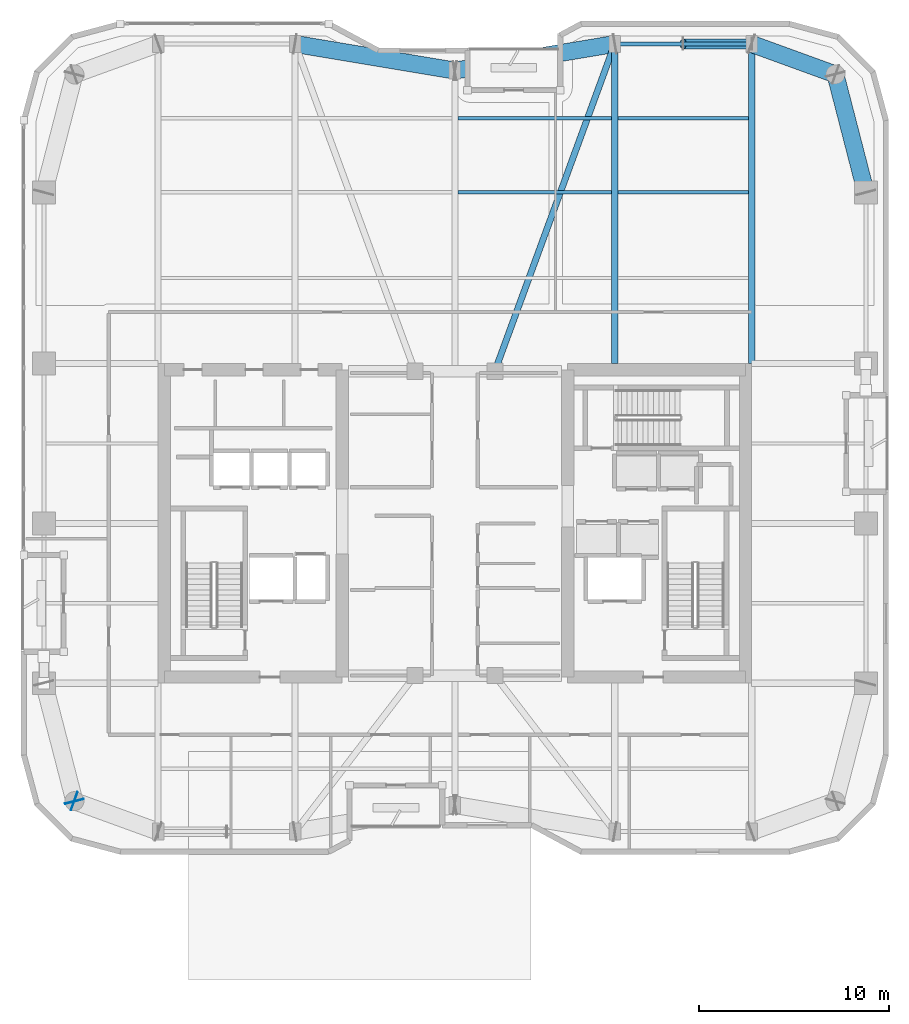
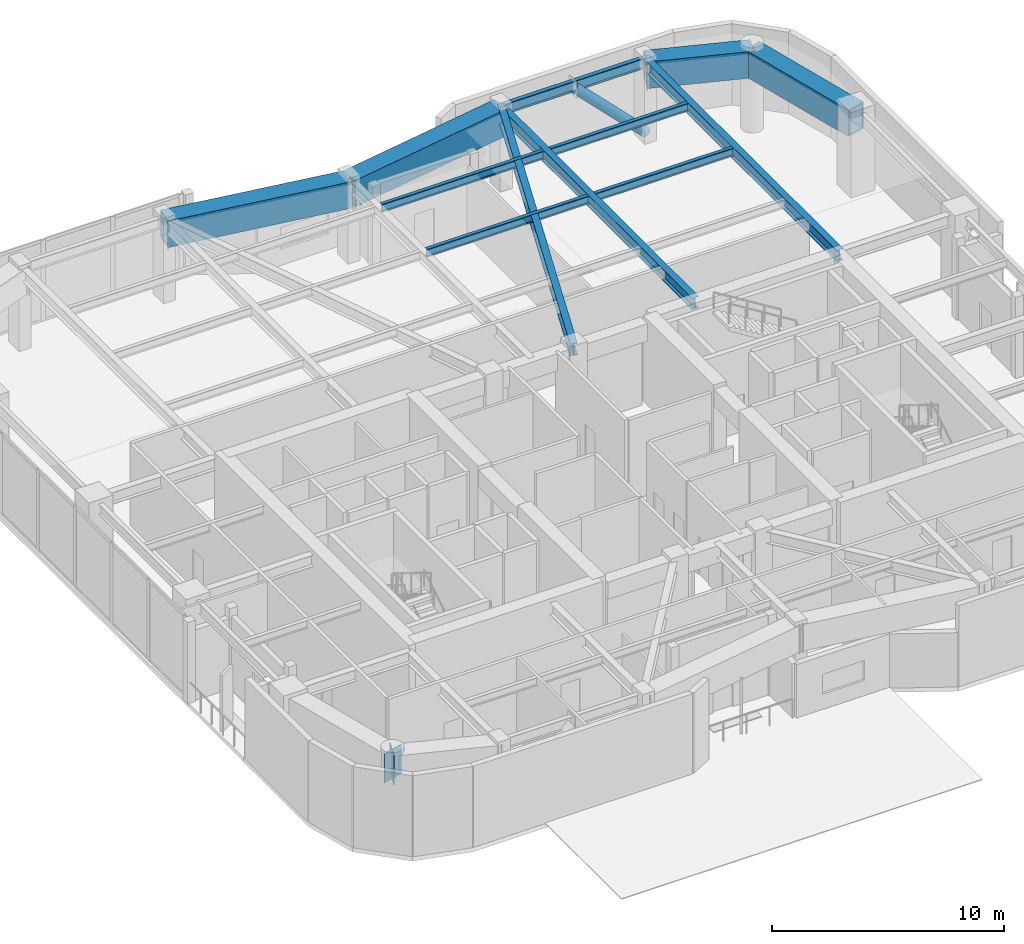
# One storey, part 7 of 18: 12 beams, 2 plates, 1 member.
"""IFC4 building model written with IfcOpenShell, lengths in metres."""

from ifc_helpers import new_model, si_unit, direction, frame, origin, origin_2d, place, context, subcontext, project, spatial, rectangle, hollow_rectangle, hollow_circle, i_section, extrude, material, layer, layer_set, material_profile, profile_set, type_object, element, save


model = new_model("IFC4")

# Units and contexts
model_context = context("Model", 3, precision=1e-05, world=origin(), true_north=direction((0.0, 1.0)))
body_context = subcontext(model_context, "Body", "Model", "MODEL_VIEW")
ifc_project = project(units=[si_unit("LENGTHUNIT", "METRE"), si_unit("AREAUNIT", "SQUARE_METRE"), si_unit("VOLUMEUNIT", "CUBIC_METRE"), si_unit("PLANEANGLEUNIT", "RADIAN"), si_unit("MASSUNIT", "GRAM", prefix="KILO")], contexts=[model_context])

# Site, building, storey
site_placement = place(None, origin())
site = spatial("IfcSite", under=ifc_project, at=site_placement, CompositionType="ELEMENT")
building_placement = place(site_placement, origin())
building = spatial("IfcBuilding", under=site, at=building_placement, Name="Kiyonajd Concourse Tower", CompositionType="ELEMENT")
storey_placement = place(building_placement, frame((0.0, 0.0, 214.800048828125)))
storey = spatial("IfcBuildingStorey", under=building, at=storey_placement, Name="L54", CompositionType="ELEMENT", Elevation=214.800048828125)

# Beams
ifc_material_1 = material(Name="Steel ASTM A992 Grade 50", Category="steel")
ifc_material_profile_1 = material_profile(ifc_material_1, i_section(OverallWidth=0.180908203125, OverallDepth=0.4169921875, WebThickness=0.010986328125, FlangeThickness=0.018310546875, at=origin_2d()), Name="W410X85")
ifc_profile_set_1 = profile_set([ifc_material_profile_1], Name="Steel ASTM A992 Grade 50")
beam_type_1 = type_object("IfcBeamType", Name="BM-JST-410", PredefinedType="JOIST", material=ifc_profile_set_1)
beam_1_placement = place(storey_placement, frame((48.162109375, 53.39990234375, 4.071533203125), z_axis=(1.0, 0.0, 0.0), x_axis=(0.0, 1.0, 0.0)))
element("IfcBeam", 1, at=beam_1_placement, inside=storey, type_object=beam_type_1, Name="L54 Secondary Floor Joist", PredefinedType="JOIST", context=body_context, shape_type="SweptSolid", body=[
    extrude(i_section(OverallWidth=0.180908203125, OverallDepth=0.4169921875, WebThickness=0.010986328125, FlangeThickness=0.018310546875, at=origin_2d()), origin(), (0.0, 0.0, 1.0), 8.075927734375),
])
beam_2_placement = place(storey_placement, frame((56.56201171875, 53.39990234375, 4.071533203125), z_axis=(1.0, 0.0, 0.0), x_axis=(0.0, 1.0, 0.0)))
element("IfcBeam", 2, at=beam_2_placement, inside=storey, type_object=beam_type_1, Name="L54 Secondary Floor Joist", PredefinedType="JOIST", context=body_context, shape_type="SweptSolid", body=[
    extrude(i_section(OverallWidth=0.180908203125, OverallDepth=0.4169921875, WebThickness=0.010986328125, FlangeThickness=0.018310546875, at=origin_2d()), origin(), (0.0, 0.0, 1.0), 6.8759765625),
])
beam_3_placement = place(storey_placement, frame((48.162109375, 57.300048828125, 4.071533203125), z_axis=(1.0, 0.0, 0.0), x_axis=(0.0, 1.0, 0.0)))
element("IfcBeam", 3, at=beam_3_placement, inside=storey, type_object=beam_type_1, Name="L54 Secondary Floor Joist", PredefinedType="JOIST", context=body_context, shape_type="SweptSolid", body=[
    extrude(i_section(OverallWidth=0.180908203125, OverallDepth=0.4169921875, WebThickness=0.010986328125, FlangeThickness=0.018310546875, at=origin_2d()), origin(), (0.0, 0.0, 1.0), 8.075927734375),
])
beam_4_placement = place(storey_placement, frame((56.56201171875, 57.300048828125, 4.071533203125), z_axis=(1.0, 0.0, 0.0), x_axis=(0.0, 1.0, 0.0)))
element("IfcBeam", 4, at=beam_4_placement, inside=storey, type_object=beam_type_1, Name="L54 Secondary Floor Joist", PredefinedType="JOIST", context=body_context, shape_type="SweptSolid", body=[
    extrude(i_section(OverallWidth=0.180908203125, OverallDepth=0.4169921875, WebThickness=0.010986328125, FlangeThickness=0.018310546875, at=origin_2d()), origin(), (0.0, 0.0, 1.0), 6.8759765625),
])
ifc_material_profile_2 = material_profile(ifc_material_1, i_section(OverallWidth=0.214111328125, OverallDepth=0.549072265625, WebThickness=0.0146484375, FlangeThickness=0.023681640625, at=origin_2d()), Name="W530X138")
ifc_profile_set_2 = profile_set([ifc_material_profile_2], Name="Steel ASTM A992 Grade 50")
beam_type_2 = type_object("IfcBeamType", Name="BM-SPAN-530A", PredefinedType="SPANDREL", material=ifc_profile_set_2)
beam_5_placement = place(storey_placement, frame((63.60009765625, 61.199951171875, 4.00537109375), z_axis=(-1.0, 0.0, 0.0), x_axis=(0.0, -1.0, 0.0)))
element("IfcBeam", 5, at=beam_5_placement, inside=storey, type_object=beam_type_2, Name="L54 Perimeter Bundled Tube Spandrel", PredefinedType="SPANDREL", context=body_context, shape_type="SweptSolid", body=[
    extrude(i_section(OverallWidth=0.214111328125, OverallDepth=0.549072265625, WebThickness=0.0146484375, FlangeThickness=0.023681640625, at=origin_2d()), origin(), (0.0, 0.0, 1.0), 7.2001953125),
])
ifc_material_profile_3 = material_profile(ifc_material_1, i_section(OverallWidth=0.326904296875, OverallDepth=0.6220703125, WebThickness=0.015380859375, FlangeThickness=0.0244140625, at=origin_2d()), Name="W610X195")
ifc_profile_set_3 = profile_set([ifc_material_profile_3], Name="Steel ASTM A992 Grade 50")
beam_type_3 = type_object("IfcBeamType", Name="BM-TWR-610A", PredefinedType="BEAM", material=ifc_profile_set_3)
beam_6_placement = place(storey_placement, frame((50.10009765625, 44.0, 3.968994140625), z_axis=(0.343925269715, 0.938997022813, 0.0), x_axis=(-0.938997022813, 0.343925269715, 0.0)))
element("IfcBeam", 6, at=beam_6_placement, inside=storey, type_object=beam_type_3, Name="L54 Core Tie Girder", PredefinedType="BEAM", context=body_context, shape_type="SweptSolid", body=[
    extrude(i_section(OverallWidth=0.326904296875, OverallDepth=0.6220703125, WebThickness=0.015380859375, FlangeThickness=0.0244140625, at=origin_2d()), origin(), (0.0, 0.0, 1.0), 18.3173828125),
])
ifc_material_profile_4 = material_profile(ifc_material_1, i_section(OverallWidth=0.323974609375, OverallDepth=0.611083984375, WebThickness=0.0126953125, FlangeThickness=0.01904296875, at=origin_2d()), Name="W610X155")
ifc_profile_set_4 = profile_set([ifc_material_profile_4], Name="Steel ASTM A992 Grade 50")
beam_type_4 = type_object("IfcBeamType", Name="BM-TWR-610B", PredefinedType="BEAM", material=ifc_profile_set_4)
for number, where, z_axis, x_axis, name in (
    (7, (56.39990234375, 44.39990234375, 3.974365234375), (0.0, 1.0, 0.0), (-1.0, 0.0, 0.0), "L54 North Lease Girder"),
    (8, (63.60009765625, 44.39990234375, 3.974365234375), (0.0, 1.0, 0.0), (-1.0, 0.0, 0.0), "L54 North Lease Girder"),
):
    element("IfcBeam", number, at=place(storey_placement, frame(where, z_axis=z_axis, x_axis=x_axis)), inside=storey, type_object=beam_type_4, Name=name, PredefinedType="BEAM", context=body_context, shape_type="SweptSolid", body=[
        extrude(i_section(OverallWidth=0.323974609375, OverallDepth=0.611083984375, WebThickness=0.0126953125, FlangeThickness=0.01904296875, at=origin_2d()), origin(), (0.0, 0.0, 1.0), 16.800048828125),
    ])
ifc_material_2 = material(Name="Steel ASTM A572 Grade 50", Category="steel")
ifc_material_profile_5 = material_profile(ifc_material_2, hollow_rectangle(XDim=0.89990234375, YDim=1.39990234375, WallThickness=0.070068359375, at=origin_2d()), Name="BOX-1400x900x70")
ifc_profile_set_5 = profile_set([ifc_material_profile_5], Name="Steel ASTM A572 Grade 50")
beam_type_5 = type_object("IfcBeamType", Name="BM-XFER-1400", PredefinedType="BEAM", material=ifc_profile_set_5)
beam_7_placement = place(storey_placement, frame((69.60009765625, 53.39990234375, 3.579833984375), z_axis=(-0.249884937687, 0.968275538221, 0.0), x_axis=(-0.968275538221, -0.249884937687, 0.0)))
element("IfcBeam", 9, at=beam_7_placement, inside=storey, type_object=beam_type_5, Name="L54 Perimeter Bundled Tube Spandrel", PredefinedType="BEAM", context=body_context, shape_type="SweptSolid", body=[
    extrude(hollow_rectangle(XDim=0.89990234375, YDim=1.39990234375, WallThickness=0.070068359375, at=origin_2d()), origin(), (0.0, 0.0, 1.0), 6.4033203125),
])
beam_8_placement = place(storey_placement, frame((68.0, 59.60009765625, 3.579833984375), z_axis=(-0.939801036019, 0.341722127901, 0.0), x_axis=(-0.341722127901, -0.939801036019, 0.0)))
element("IfcBeam", 10, at=beam_8_placement, inside=storey, type_object=beam_type_5, Name="L54 Perimeter Bundled Tube Spandrel", PredefinedType="BEAM", context=body_context, shape_type="SweptSolid", body=[
    extrude(hollow_rectangle(XDim=0.89990234375, YDim=1.39990234375, WallThickness=0.070068359375, at=origin_2d()), origin(), (0.0, 0.0, 1.0), 4.681640625),
])
for number, where, z_axis, x_axis, name in (
    (11, (56.39990234375, 61.199951171875, 3.579833984375), (-0.986395473479, -0.164389689151, 0.0), (0.164389689151, -0.986395473479, 0.0), "L54 Perimeter Bundled Tube Spandrel"),
    (12, (48.0, 59.800048828125, 3.579833984375), (-0.986395473479, 0.164389689151, 0.0), (-0.164389689151, -0.986395473479, 0.0), "L54 Perimeter Bundled Tube Spandrel"),
):
    element("IfcBeam", number, at=place(storey_placement, frame(where, z_axis=z_axis, x_axis=x_axis)), inside=storey, type_object=beam_type_5, Name=name, PredefinedType="BEAM", context=body_context, shape_type="SweptSolid", body=[
        extrude(hollow_rectangle(XDim=0.89990234375, YDim=1.39990234375, WallThickness=0.070068359375, at=origin_2d()), origin(), (0.0, 0.0, 1.0), 8.515869140625),
    ])

# Member
ifc_material_3 = material(Name="Steel ASTM A500 Grade C", Category="steel")
ifc_material_profile_6 = material_profile(ifc_material_3, hollow_circle(Radius=0.25390625, WallThickness=0.02197265625, at=origin_2d()), Name="CHS-508x22")
ifc_profile_set_6 = profile_set([ifc_material_profile_6], Name="Steel ASTM A500 Grade C")
member_type = type_object("IfcMemberType", Name="MB-PB-MID", PredefinedType="BRACE", material=ifc_profile_set_6)
member_placement = place(storey_placement, frame((63.60009765625, 61.199951171875, 0.300048828125), z_axis=(-0.704187756773, 0.0, 0.710013804944), x_axis=(0.0, -1.0, 0.0)))
element("IfcMember", 13, at=member_placement, inside=storey, type_object=member_type, Name="L54 Upper Zone Hollow Tube Brace PBN", PredefinedType="BRACE", context=body_context, shape_type="SweptSolid", body=[
    extrude(hollow_circle(Radius=0.25390625, WallThickness=0.02197265625, at=origin_2d()), origin(), (0.0, 0.0, 1.0), 5.1123046875),
])

# Plates
ifc_layer = layer(ifc_material_2, 0.031982421875)
ifc_layer_set = layer_set([ifc_layer], Name="Steel ASTM A572 Grade 50")
plate_type = type_object("IfcPlateType", Name="PL-CAP-540", PredefinedType="USERDEFINED", material=ifc_layer_set)
for number, where, z_axis, x_axis, name in (
    (14, (28.002685546875, 21.389404296875, 2.809814453125), (0.0, 0.0, 1.0), (0.249873048837, -0.968278606324, 0.0), "L54 Welded Box Girder End Cap"),
    (15, (27.98974609375, 21.40380859375, 2.809814453125), (0.0, 0.0, 1.0), (-0.939811951086, 0.341692107891, 0.0), "L54 Welded Box Girder End Cap"),
):
    element("IfcPlate", number, at=place(storey_placement, frame(where, z_axis=z_axis, x_axis=x_axis)), inside=storey, type_object=plate_type, Name=name, ObjectType="CAP PLATE", PredefinedType="USERDEFINED", context=body_context, shape_type="SweptSolid", body=[
        extrude(rectangle(XDim=0.035888671875, YDim=1.02001953125, at=origin_2d()), origin(), (0.0, 0.0, 1.0), 1.5400390625),
    ])

save(model, "model.ifc")
